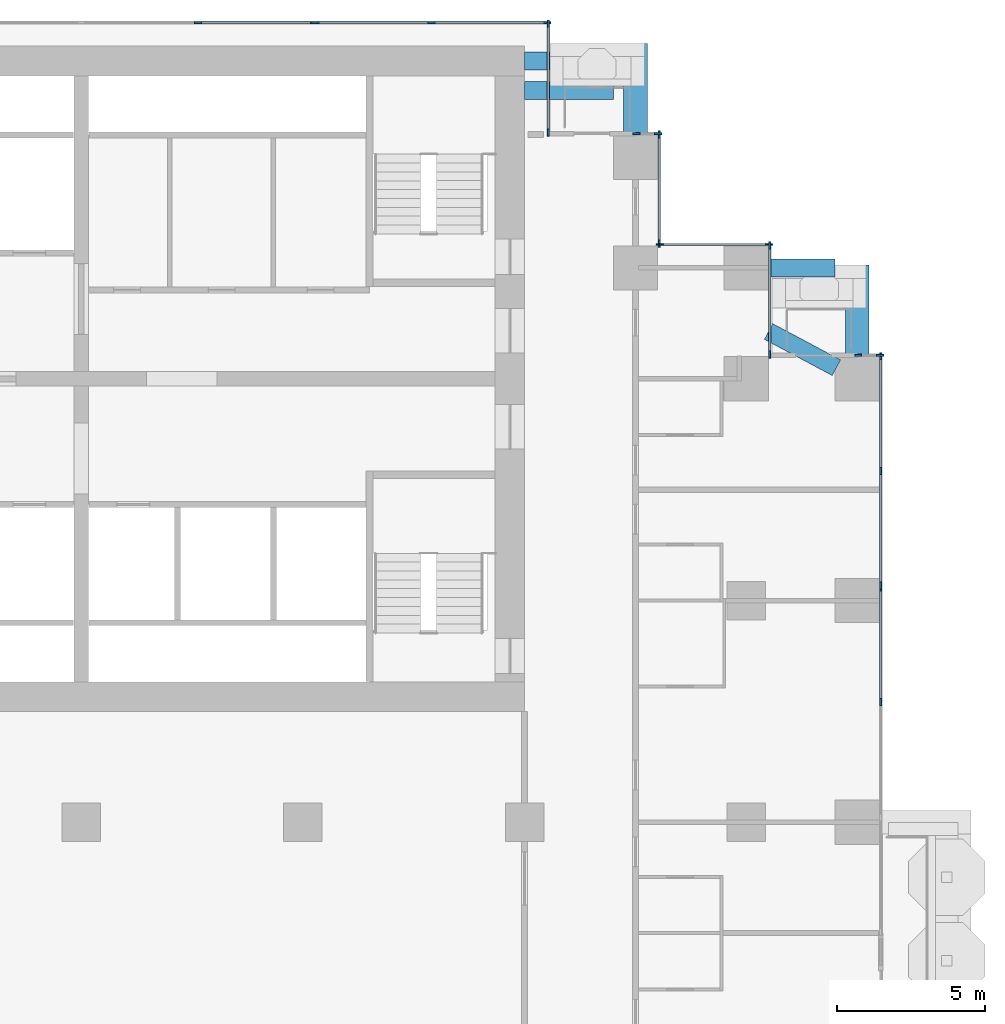
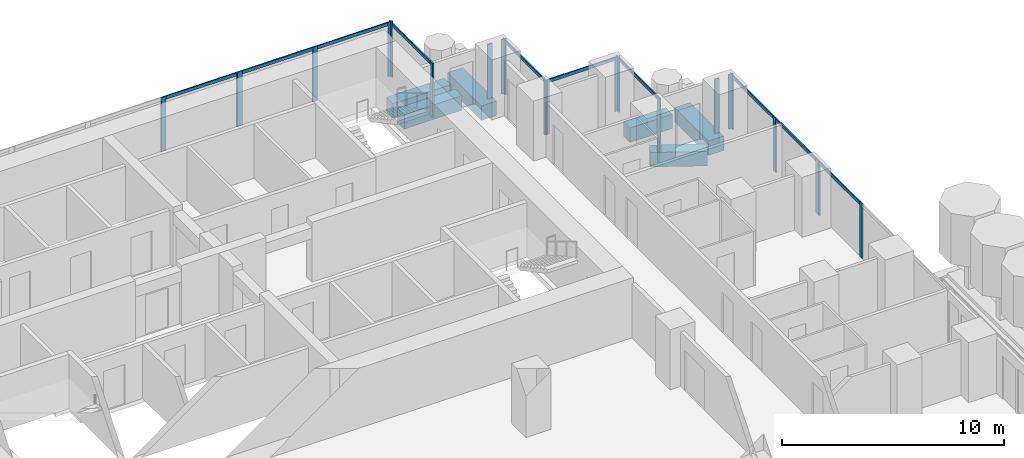
# One storey, part 6 of 18: 32 members, 6 beams, 10 elements without a shape of their own.
"""IFC4 building model written with IfcOpenShell, lengths in metres."""

from ifc_helpers import new_model, si_unit, direction, frame, origin, origin_2d, place, context, subcontext, project, spatial, rectangle, extrude, material, material_profile, profile_set, type_object, element, aggregate, save


model = new_model("IFC4")

# Units and contexts
model_context = context("Model", 3, precision=1e-05, world=origin(), true_north=direction((0.0, 1.0)))
body_context = subcontext(model_context, "Body", "Model", "MODEL_VIEW")
ifc_project = project(units=[si_unit("LENGTHUNIT", "METRE"), si_unit("AREAUNIT", "SQUARE_METRE"), si_unit("VOLUMEUNIT", "CUBIC_METRE"), si_unit("PLANEANGLEUNIT", "RADIAN"), si_unit("MASSUNIT", "GRAM", prefix="KILO")], contexts=[model_context])

# Site, building, storey
site_placement = place(None, origin())
site = spatial("IfcSite", under=ifc_project, at=site_placement, CompositionType="ELEMENT")
building_placement = place(site_placement, origin())
building = spatial("IfcBuilding", under=site, at=building_placement, Name="Pilkhan Gate Tower", CompositionType="ELEMENT")
storey_placement = place(building_placement, frame((0.0, 0.0, 56.0)))
storey = spatial("IfcBuildingStorey", under=building, at=storey_placement, Name="L11", CompositionType="ELEMENT", Elevation=56.0)

# Beams
ifc_material_1 = material(Name="Concrete C50/60", Category="concrete")
ifc_material_profile_1 = material_profile(ifc_material_1, rectangle(XDim=0.60009765625, YDim=0.800048828125, at=origin_2d()), Name="RC 600x800")
ifc_profile_set_1 = profile_set([ifc_material_profile_1], Name="Concrete C50/60")
beam_type_1 = type_object("IfcBeamType", Name="Cantilever beam CB1 RC 600x800 C50/60", PredefinedType="BEAM", material=ifc_profile_set_1)
for number, where, z_axis, x_axis, name in (
    (1, (90.0, 93.25, -0.699951171875), (1.0, 0.0, 0.0), (0.0, 1.0, 0.0), "Balcony beam NE.2 L11"),
    (2, (90.0, 92.25, -0.699951171875), (1.0, 0.0, 0.0), (0.0, 1.0, 0.0), "Balcony beam NE.3 L11"),
):
    element("IfcBeam", number, at=place(storey_placement, frame(where, z_axis=z_axis, x_axis=x_axis)), inside=storey, type_object=beam_type_1, Name=name, PredefinedType="BEAM", context=body_context, shape_type="SweptSolid", body=[
        extrude(rectangle(XDim=0.60009765625, YDim=0.800048828125, at=origin_2d()), origin(), (0.0, 0.0, 1.0), 3.0),
    ])
beam_1_placement = place(storey_placement, frame((98.300048828125, 86.25, -0.699951171875), z_axis=(1.0, 0.0, 0.0), x_axis=(0.0, 1.0, 0.0)))
element("IfcBeam", 3, at=beam_1_placement, inside=storey, type_object=beam_type_1, Name="Balcony beam NE2.2 L11", PredefinedType="BEAM", context=body_context, shape_type="SweptSolid", body=[
    extrude(rectangle(XDim=0.60009765625, YDim=0.800048828125, at=origin_2d()), origin(), (0.0, 0.0, 1.0), 2.199951171875),
])
beam_2_placement = place(storey_placement, frame((100.544189453125, 82.87646484375, -0.699951171875), z_axis=(-0.882342544151, 0.470607729199, 0.0), x_axis=(-0.470607729199, -0.882342544151, 0.0)))
element("IfcBeam", 4, at=beam_2_placement, inside=storey, type_object=beam_type_1, Name="Balcony beam NE2.3 L11", PredefinedType="BEAM", context=body_context, shape_type="SweptSolid", body=[
    extrude(rectangle(XDim=0.60009765625, YDim=0.800048828125, at=origin_2d()), origin(), (0.0, 0.0, 1.0), 2.60009765625),
])
ifc_material_profile_2 = material_profile(ifc_material_1, rectangle(XDim=0.800048828125, YDim=0.800048828125, at=origin_2d()), Name="RC 800x800")
ifc_profile_set_2 = profile_set([ifc_material_profile_2], Name="Concrete C50/60")
beam_type_2 = type_object("IfcBeamType", Name="Cantilever beam CB2 RC 800x800 C50/60", PredefinedType="BEAM", material=ifc_profile_set_2)
for number, where, z_axis, x_axis, name in (
    (5, (93.75, 90.800048828125, -0.699951171875), (0.0, 1.0, 0.0), (-1.0, 0.0, 0.0), "Balcony beam NE.1 L11"),
    (6, (101.25, 83.300048828125, -0.699951171875), (0.0, 1.0, 0.0), (-1.0, 0.0, 0.0), "Balcony beam NE2.1 L11"),
):
    element("IfcBeam", number, at=place(storey_placement, frame(where, z_axis=z_axis, x_axis=x_axis)), inside=storey, type_object=beam_type_2, Name=name, PredefinedType="BEAM", context=body_context, shape_type="SweptSolid", body=[
        extrude(rectangle(XDim=0.800048828125, YDim=0.800048828125, at=origin_2d()), origin(), (0.0, 0.0, 1.0), 3.050048828125),
    ])

# Curtain wall, members
ifc_material_2 = material(Name="Pale anodised aluminium, clear low-iron double glazing", Category="aluminium")
curtain_wall_type = type_object("IfcCurtainWallType", Name="Hotel unitised curtain wall CW-H", PredefinedType="USERDEFINED", material=ifc_material_2)
curtain_wall_1_placement = place(storey_placement, origin())
curtain_wall_1 = element("IfcCurtainWall", 7, at=curtain_wall_1_placement, inside=storey, type_object=curtain_wall_type, Name="Hotel unitised curtain wall CW-H L11 E", ObjectType="UNITISED CURTAIN WALL", PredefinedType="USERDEFINED")
ifc_material_3 = material(Name="Pale anodised aluminium", Category="aluminium")
ifc_material_profile_3 = material_profile(ifc_material_3, rectangle(XDim=0.06494140625, YDim=0.25, at=origin_2d()), Name="Mullion 250x65")
ifc_profile_set_3 = profile_set([ifc_material_profile_3], Name="Pale anodised aluminium")
member_type_1 = type_object("IfcMemberType", Name="Mullion CW-H 250x65", PredefinedType="MULLION", material=ifc_profile_set_3)
member_1_placement = place(storey_placement, frame((102.044921875, 71.568115234375, 0.0), z_axis=(0.0, 0.0, 1.0), x_axis=(-1.0, 0.0, 0.0)))
member_1 = element("IfcMember", 8, at=member_1_placement, type_object=member_type_1, Name="CW-H mullion 3", PredefinedType="MULLION", context=body_context, shape_type="SweptSolid", body=[
    extrude(rectangle(XDim=0.06494140625, YDim=0.25, at=origin_2d()), origin(), (0.0, 0.0, 1.0), 3.0),
])
member_2_placement = place(storey_placement, frame((102.044921875, 75.444580078125, 0.0), z_axis=(0.0, 0.0, 1.0), x_axis=(-1.0, 0.0, 0.0)))
member_2 = element("IfcMember", 9, at=member_2_placement, type_object=member_type_1, Name="CW-H mullion 4", PredefinedType="MULLION", context=body_context, shape_type="SweptSolid", body=[
    extrude(rectangle(XDim=0.06494140625, YDim=0.25, at=origin_2d()), origin(), (0.0, 0.0, 1.0), 3.0),
])

curtain_wall_2_placement = place(storey_placement, origin())
curtain_wall_2 = element("IfcCurtainWall", 10, at=curtain_wall_2_placement, inside=storey, type_object=curtain_wall_type, Name="Hotel unitised curtain wall CW-H L11 E", ObjectType="UNITISED CURTAIN WALL", PredefinedType="USERDEFINED")
member_3_placement = place(storey_placement, frame((102.044921875, 75.509521484375, 0.0), z_axis=(0.0, 0.0, 1.0), x_axis=(-1.0, 0.0, 0.0)))
member_3 = element("IfcMember", 11, at=member_3_placement, type_object=member_type_1, Name="CW-H mullion 1", PredefinedType="MULLION", context=body_context, shape_type="SweptSolid", body=[
    extrude(rectangle(XDim=0.06494140625, YDim=0.25, at=origin_2d()), origin(), (0.0, 0.0, 1.0), 3.0),
])
member_4_placement = place(storey_placement, frame((102.044921875, 79.385986328125, 0.0), z_axis=(0.0, 0.0, 1.0), x_axis=(-1.0, 0.0, 0.0)))
member_4 = element("IfcMember", 12, at=member_4_placement, type_object=member_type_1, Name="CW-H mullion 2", PredefinedType="MULLION", context=body_context, shape_type="SweptSolid", body=[
    extrude(rectangle(XDim=0.06494140625, YDim=0.25, at=origin_2d()), origin(), (0.0, 0.0, 1.0), 3.0),
])
member_5_placement = place(storey_placement, frame((102.044921875, 83.262451171875, 0.0), z_axis=(0.0, 0.0, 1.0), x_axis=(-1.0, 0.0, 0.0)))
member_5 = element("IfcMember", 13, at=member_5_placement, type_object=member_type_1, Name="CW-H mullion 3", PredefinedType="MULLION", context=body_context, shape_type="SweptSolid", body=[
    extrude(rectangle(XDim=0.06494140625, YDim=0.25, at=origin_2d()), origin(), (0.0, 0.0, 1.0), 3.0),
])

curtain_wall_3_placement = place(storey_placement, origin())
curtain_wall_3 = element("IfcCurtainWall", 14, at=curtain_wall_3_placement, inside=storey, type_object=curtain_wall_type, Name="Hotel unitised curtain wall CW-H L11 N", ObjectType="UNITISED CURTAIN WALL", PredefinedType="USERDEFINED")
member_6_placement = place(storey_placement, frame((101.282470703125, 83.294921875, 0.0), z_axis=(0.0, 0.0, 1.0), x_axis=(0.0, 1.0, 0.0)))
member_6 = element("IfcMember", 15, at=member_6_placement, type_object=member_type_1, Name="CW-H mullion 1", PredefinedType="MULLION", context=body_context, shape_type="SweptSolid", body=[
    extrude(rectangle(XDim=0.06494140625, YDim=0.25, at=origin_2d()), origin(), (0.0, 0.0, 1.0), 3.0),
])
member_7_placement = place(storey_placement, frame((102.012451171875, 83.294921875, 0.0), z_axis=(0.0, 0.0, 1.0), x_axis=(0.0, 1.0, 0.0)))
member_7 = element("IfcMember", 16, at=member_7_placement, type_object=member_type_1, Name="CW-H mullion 2", PredefinedType="MULLION", context=body_context, shape_type="SweptSolid", body=[
    extrude(rectangle(XDim=0.06494140625, YDim=0.25, at=origin_2d()), origin(), (0.0, 0.0, 1.0), 3.0),
])
aggregate(curtain_wall_3, [member_6, member_7])

curtain_wall_4_placement = place(storey_placement, origin())
curtain_wall_4 = element("IfcCurtainWall", 17, at=curtain_wall_4_placement, inside=storey, type_object=curtain_wall_type, Name="Hotel unitised curtain wall CW-H L11 E", ObjectType="UNITISED CURTAIN WALL", PredefinedType="USERDEFINED")
member_8_placement = place(storey_placement, frame((98.294921875, 83.327392578125, 0.0), z_axis=(0.0, 0.0, 1.0), x_axis=(-1.0, 0.0, 0.0)))
member_8 = element("IfcMember", 18, at=member_8_placement, type_object=member_type_1, Name="CW-H mullion 1", PredefinedType="MULLION", context=body_context, shape_type="SweptSolid", body=[
    extrude(rectangle(XDim=0.06494140625, YDim=0.25, at=origin_2d()), origin(), (0.0, 0.0, 1.0), 3.0),
])
member_9_placement = place(storey_placement, frame((98.294921875, 87.012451171875, 0.0), z_axis=(0.0, 0.0, 1.0), x_axis=(-1.0, 0.0, 0.0)))
member_9 = element("IfcMember", 19, at=member_9_placement, type_object=member_type_1, Name="CW-H mullion 2", PredefinedType="MULLION", context=body_context, shape_type="SweptSolid", body=[
    extrude(rectangle(XDim=0.06494140625, YDim=0.25, at=origin_2d()), origin(), (0.0, 0.0, 1.0), 3.0),
])

curtain_wall_5_placement = place(storey_placement, origin())
curtain_wall_5 = element("IfcCurtainWall", 20, at=curtain_wall_5_placement, inside=storey, type_object=curtain_wall_type, Name="Hotel unitised curtain wall CW-H L11 N", ObjectType="UNITISED CURTAIN WALL", PredefinedType="USERDEFINED")
member_10_placement = place(storey_placement, frame((94.577392578125, 87.044921875, 0.0), z_axis=(0.0, 0.0, 1.0), x_axis=(0.0, 1.0, 0.0)))
member_10 = element("IfcMember", 21, at=member_10_placement, type_object=member_type_1, Name="CW-H mullion 1", PredefinedType="MULLION", context=body_context, shape_type="SweptSolid", body=[
    extrude(rectangle(XDim=0.06494140625, YDim=0.25, at=origin_2d()), origin(), (0.0, 0.0, 1.0), 3.0),
])
member_11_placement = place(storey_placement, frame((98.262451171875, 87.044921875, 0.0), z_axis=(0.0, 0.0, 1.0), x_axis=(0.0, 1.0, 0.0)))
member_11 = element("IfcMember", 22, at=member_11_placement, type_object=member_type_1, Name="CW-H mullion 2", PredefinedType="MULLION", context=body_context, shape_type="SweptSolid", body=[
    extrude(rectangle(XDim=0.06494140625, YDim=0.25, at=origin_2d()), origin(), (0.0, 0.0, 1.0), 3.0),
])

curtain_wall_6_placement = place(storey_placement, origin())
curtain_wall_6 = element("IfcCurtainWall", 23, at=curtain_wall_6_placement, inside=storey, type_object=curtain_wall_type, Name="Hotel unitised curtain wall CW-H L11 E", ObjectType="UNITISED CURTAIN WALL", PredefinedType="USERDEFINED")
member_12_placement = place(storey_placement, frame((94.544921875, 87.077392578125, 0.0), z_axis=(0.0, 0.0, 1.0), x_axis=(-1.0, 0.0, 0.0)))
member_12 = element("IfcMember", 24, at=member_12_placement, type_object=member_type_1, Name="CW-H mullion 1", PredefinedType="MULLION", context=body_context, shape_type="SweptSolid", body=[
    extrude(rectangle(XDim=0.06494140625, YDim=0.25, at=origin_2d()), origin(), (0.0, 0.0, 1.0), 3.0),
])
member_13_placement = place(storey_placement, frame((94.544921875, 90.762451171875, 0.0), z_axis=(0.0, 0.0, 1.0), x_axis=(-1.0, 0.0, 0.0)))
member_13 = element("IfcMember", 25, at=member_13_placement, type_object=member_type_1, Name="CW-H mullion 2", PredefinedType="MULLION", context=body_context, shape_type="SweptSolid", body=[
    extrude(rectangle(XDim=0.06494140625, YDim=0.25, at=origin_2d()), origin(), (0.0, 0.0, 1.0), 3.0),
])

curtain_wall_7_placement = place(storey_placement, origin())
curtain_wall_7 = element("IfcCurtainWall", 26, at=curtain_wall_7_placement, inside=storey, type_object=curtain_wall_type, Name="Hotel unitised curtain wall CW-H L11 N", ObjectType="UNITISED CURTAIN WALL", PredefinedType="USERDEFINED")
member_14_placement = place(storey_placement, frame((93.782470703125, 90.794921875, 0.0), z_axis=(0.0, 0.0, 1.0), x_axis=(0.0, 1.0, 0.0)))
member_14 = element("IfcMember", 27, at=member_14_placement, type_object=member_type_1, Name="CW-H mullion 1", PredefinedType="MULLION", context=body_context, shape_type="SweptSolid", body=[
    extrude(rectangle(XDim=0.06494140625, YDim=0.25, at=origin_2d()), origin(), (0.0, 0.0, 1.0), 3.0),
])
member_15_placement = place(storey_placement, frame((94.512451171875, 90.794921875, 0.0), z_axis=(0.0, 0.0, 1.0), x_axis=(0.0, 1.0, 0.0)))
member_15 = element("IfcMember", 28, at=member_15_placement, type_object=member_type_1, Name="CW-H mullion 2", PredefinedType="MULLION", context=body_context, shape_type="SweptSolid", body=[
    extrude(rectangle(XDim=0.06494140625, YDim=0.25, at=origin_2d()), origin(), (0.0, 0.0, 1.0), 3.0),
])
aggregate(curtain_wall_7, [member_14, member_15])

curtain_wall_8_placement = place(storey_placement, origin())
curtain_wall_8 = element("IfcCurtainWall", 29, at=curtain_wall_8_placement, inside=storey, type_object=curtain_wall_type, Name="Hotel unitised curtain wall CW-H L11 E", ObjectType="UNITISED CURTAIN WALL", PredefinedType="USERDEFINED")
member_16_placement = place(storey_placement, frame((90.794921875, 90.827392578125, 0.0), z_axis=(0.0, 0.0, 1.0), x_axis=(-1.0, 0.0, 0.0)))
member_16 = element("IfcMember", 30, at=member_16_placement, type_object=member_type_1, Name="CW-H mullion 1", PredefinedType="MULLION", context=body_context, shape_type="SweptSolid", body=[
    extrude(rectangle(XDim=0.06494140625, YDim=0.25, at=origin_2d()), origin(), (0.0, 0.0, 1.0), 3.0),
])
member_17_placement = place(storey_placement, frame((90.794921875, 94.512451171875, 0.0), z_axis=(0.0, 0.0, 1.0), x_axis=(-1.0, 0.0, 0.0)))
member_17 = element("IfcMember", 31, at=member_17_placement, type_object=member_type_1, Name="CW-H mullion 2", PredefinedType="MULLION", context=body_context, shape_type="SweptSolid", body=[
    extrude(rectangle(XDim=0.06494140625, YDim=0.25, at=origin_2d()), origin(), (0.0, 0.0, 1.0), 3.0),
])

curtain_wall_9_placement = place(storey_placement, origin())
curtain_wall_9 = element("IfcCurtainWall", 32, at=curtain_wall_9_placement, inside=storey, type_object=curtain_wall_type, Name="Hotel unitised curtain wall CW-H L11 N", ObjectType="UNITISED CURTAIN WALL", PredefinedType="USERDEFINED")
member_18_placement = place(storey_placement, frame((78.94873046875, 94.544921875, 0.0), z_axis=(0.0, 0.0, 1.0), x_axis=(0.0, 1.0, 0.0)))
member_18 = element("IfcMember", 33, at=member_18_placement, type_object=member_type_1, Name="CW-H mullion 3", PredefinedType="MULLION", context=body_context, shape_type="SweptSolid", body=[
    extrude(rectangle(XDim=0.06494140625, YDim=0.25, at=origin_2d()), origin(), (0.0, 0.0, 1.0), 3.0),
])
member_19_placement = place(storey_placement, frame((82.864990234375, 94.544921875, 0.0), z_axis=(0.0, 0.0, 1.0), x_axis=(0.0, 1.0, 0.0)))
member_19 = element("IfcMember", 34, at=member_19_placement, type_object=member_type_1, Name="CW-H mullion 4", PredefinedType="MULLION", context=body_context, shape_type="SweptSolid", body=[
    extrude(rectangle(XDim=0.06494140625, YDim=0.25, at=origin_2d()), origin(), (0.0, 0.0, 1.0), 3.0),
])

curtain_wall_10_placement = place(storey_placement, origin())
curtain_wall_10 = element("IfcCurtainWall", 35, at=curtain_wall_10_placement, inside=storey, type_object=curtain_wall_type, Name="Hotel unitised curtain wall CW-H L11 N", ObjectType="UNITISED CURTAIN WALL", PredefinedType="USERDEFINED")
member_20_placement = place(storey_placement, frame((82.929931640625, 94.544921875, 0.0), z_axis=(0.0, 0.0, 1.0), x_axis=(0.0, 1.0, 0.0)))
member_20 = element("IfcMember", 36, at=member_20_placement, type_object=member_type_1, Name="CW-H mullion 1", PredefinedType="MULLION", context=body_context, shape_type="SweptSolid", body=[
    extrude(rectangle(XDim=0.06494140625, YDim=0.25, at=origin_2d()), origin(), (0.0, 0.0, 1.0), 3.0),
])
member_21_placement = place(storey_placement, frame((86.84619140625, 94.544921875, 0.0), z_axis=(0.0, 0.0, 1.0), x_axis=(0.0, 1.0, 0.0)))
member_21 = element("IfcMember", 37, at=member_21_placement, type_object=member_type_1, Name="CW-H mullion 2", PredefinedType="MULLION", context=body_context, shape_type="SweptSolid", body=[
    extrude(rectangle(XDim=0.06494140625, YDim=0.25, at=origin_2d()), origin(), (0.0, 0.0, 1.0), 3.0),
])
member_22_placement = place(storey_placement, frame((90.762451171875, 94.544921875, 0.0), z_axis=(0.0, 0.0, 1.0), x_axis=(0.0, 1.0, 0.0)))
member_22 = element("IfcMember", 38, at=member_22_placement, type_object=member_type_1, Name="CW-H mullion 3", PredefinedType="MULLION", context=body_context, shape_type="SweptSolid", body=[
    extrude(rectangle(XDim=0.06494140625, YDim=0.25, at=origin_2d()), origin(), (0.0, 0.0, 1.0), 3.0),
])

# Member
ifc_material_profile_4 = material_profile(ifc_material_3, rectangle(XDim=0.06494140625, YDim=0.179931640625, at=origin_2d()), Name="Transom 180x65")
ifc_profile_set_4 = profile_set([ifc_material_profile_4], Name="Pale anodised aluminium")
member_type_2 = type_object("IfcMemberType", Name="Transom CW-H 180x65", PredefinedType="USERDEFINED", material=ifc_profile_set_4)
member_23_placement = place(storey_placement, frame((102.044921875, 71.6005859375, 2.909912109375), z_axis=(0.0, 1.0, 0.0), x_axis=(-1.0, 0.0, 0.0)))
member_23 = element("IfcMember", 39, at=member_23_placement, type_object=member_type_2, Name="CW-H transom 3", ObjectType="TRANSOM", PredefinedType="USERDEFINED", context=body_context, shape_type="SweptSolid", body=[
    extrude(rectangle(XDim=0.06494140625, YDim=0.179931640625, at=origin_2d()), origin(), (0.0, 0.0, 1.0), 3.8115234375),
])

aggregate(curtain_wall_1, [member_1, member_2, member_23])

member_24_placement = place(storey_placement, frame((102.044921875, 75.5419921875, 2.909912109375), z_axis=(0.0, 1.0, 0.0), x_axis=(-1.0, 0.0, 0.0)))
member_24 = element("IfcMember", 40, at=member_24_placement, type_object=member_type_2, Name="CW-H transom 1", ObjectType="TRANSOM", PredefinedType="USERDEFINED", context=body_context, shape_type="SweptSolid", body=[
    extrude(rectangle(XDim=0.06494140625, YDim=0.179931640625, at=origin_2d()), origin(), (0.0, 0.0, 1.0), 3.8115234375),
])

member_25_placement = place(storey_placement, frame((102.044921875, 79.41845703125, 2.909912109375), z_axis=(0.0, 1.0, 0.0), x_axis=(-1.0, 0.0, 0.0)))
member_25 = element("IfcMember", 41, at=member_25_placement, type_object=member_type_2, Name="CW-H transom 2", ObjectType="TRANSOM", PredefinedType="USERDEFINED", context=body_context, shape_type="SweptSolid", body=[
    extrude(rectangle(XDim=0.06494140625, YDim=0.179931640625, at=origin_2d()), origin(), (0.0, 0.0, 1.0), 3.8115234375),
])

aggregate(curtain_wall_2, [member_3, member_4, member_5, member_24, member_25])

member_26_placement = place(storey_placement, frame((98.294921875, 83.360107421875, 2.909912109375), z_axis=(0.0, 1.0, 0.0), x_axis=(-1.0, 0.0, 0.0)))
member_26 = element("IfcMember", 42, at=member_26_placement, type_object=member_type_2, Name="CW-H transom 1", ObjectType="TRANSOM", PredefinedType="USERDEFINED", context=body_context, shape_type="SweptSolid", body=[
    extrude(rectangle(XDim=0.06494140625, YDim=0.179931640625, at=origin_2d()), origin(), (0.0, 0.0, 1.0), 3.619873046875),
])

aggregate(curtain_wall_4, [member_8, member_9, member_26])

member_27_placement = place(storey_placement, frame((94.610107421875, 87.044921875, 2.909912109375), z_axis=(1.0, 0.0, 0.0), x_axis=(0.0, 1.0, 0.0)))
member_27 = element("IfcMember", 43, at=member_27_placement, type_object=member_type_2, Name="CW-H transom 1", ObjectType="TRANSOM", PredefinedType="USERDEFINED", context=body_context, shape_type="SweptSolid", body=[
    extrude(rectangle(XDim=0.06494140625, YDim=0.179931640625, at=origin_2d()), origin(), (0.0, 0.0, 1.0), 3.619873046875),
])

aggregate(curtain_wall_5, [member_10, member_11, member_27])

member_28_placement = place(storey_placement, frame((94.544921875, 87.110107421875, 2.909912109375), z_axis=(0.0, 1.0, 0.0), x_axis=(-1.0, 0.0, 0.0)))
member_28 = element("IfcMember", 44, at=member_28_placement, type_object=member_type_2, Name="CW-H transom 1", ObjectType="TRANSOM", PredefinedType="USERDEFINED", context=body_context, shape_type="SweptSolid", body=[
    extrude(rectangle(XDim=0.06494140625, YDim=0.179931640625, at=origin_2d()), origin(), (0.0, 0.0, 1.0), 3.619873046875),
])

aggregate(curtain_wall_6, [member_12, member_13, member_28])

member_29_placement = place(storey_placement, frame((90.794921875, 90.860107421875, 2.909912109375), z_axis=(0.0, 1.0, 0.0), x_axis=(-1.0, 0.0, 0.0)))
member_29 = element("IfcMember", 45, at=member_29_placement, type_object=member_type_2, Name="CW-H transom 1", ObjectType="TRANSOM", PredefinedType="USERDEFINED", context=body_context, shape_type="SweptSolid", body=[
    extrude(rectangle(XDim=0.06494140625, YDim=0.179931640625, at=origin_2d()), origin(), (0.0, 0.0, 1.0), 3.619873046875),
])

aggregate(curtain_wall_8, [member_16, member_17, member_29])

member_30_placement = place(storey_placement, frame((78.981201171875, 94.544921875, 2.909912109375), z_axis=(1.0, 0.0, 0.0), x_axis=(0.0, 1.0, 0.0)))
member_30 = element("IfcMember", 46, at=member_30_placement, type_object=member_type_2, Name="CW-H transom 3", ObjectType="TRANSOM", PredefinedType="USERDEFINED", context=body_context, shape_type="SweptSolid", body=[
    extrude(rectangle(XDim=0.06494140625, YDim=0.179931640625, at=origin_2d()), origin(), (0.0, 0.0, 1.0), 3.851318359375),
])

aggregate(curtain_wall_9, [member_18, member_19, member_30])

member_31_placement = place(storey_placement, frame((82.96240234375, 94.544921875, 2.909912109375), z_axis=(1.0, 0.0, 0.0), x_axis=(0.0, 1.0, 0.0)))
member_31 = element("IfcMember", 47, at=member_31_placement, type_object=member_type_2, Name="CW-H transom 1", ObjectType="TRANSOM", PredefinedType="USERDEFINED", context=body_context, shape_type="SweptSolid", body=[
    extrude(rectangle(XDim=0.06494140625, YDim=0.179931640625, at=origin_2d()), origin(), (0.0, 0.0, 1.0), 3.851318359375),
])

member_32_placement = place(storey_placement, frame((86.878662109375, 94.544921875, 2.909912109375), z_axis=(1.0, 0.0, 0.0), x_axis=(0.0, 1.0, 0.0)))
member_32 = element("IfcMember", 48, at=member_32_placement, type_object=member_type_2, Name="CW-H transom 2", ObjectType="TRANSOM", PredefinedType="USERDEFINED", context=body_context, shape_type="SweptSolid", body=[
    extrude(rectangle(XDim=0.06494140625, YDim=0.179931640625, at=origin_2d()), origin(), (0.0, 0.0, 1.0), 3.851318359375),
])

aggregate(curtain_wall_10, [member_20, member_21, member_22, member_31, member_32])

save(model, "model.ifc")
